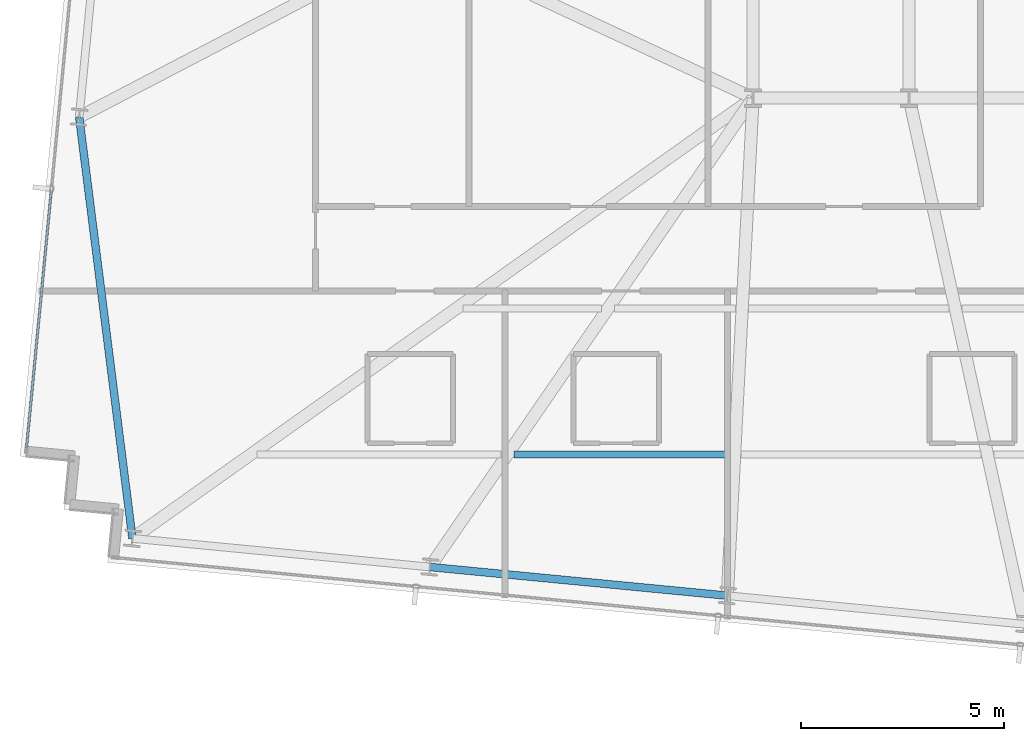
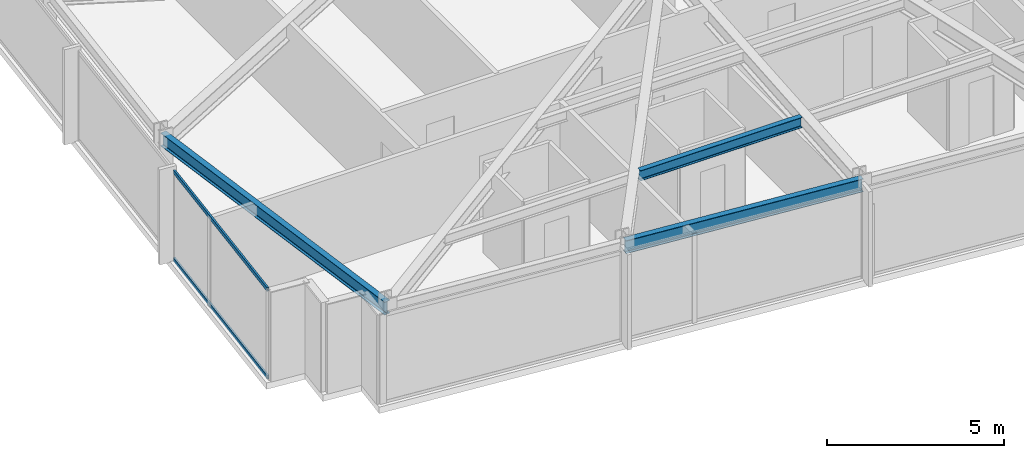
# One storey, part 3 of 38: 3 beams, 2 members, 1 element without a shape of its own.
"""IFC4 building model written with IfcOpenShell, lengths in metres."""

from ifc_helpers import new_model, si_unit, direction, frame, origin, origin_2d, place, context, subcontext, project, spatial, hollow_rectangle, i_section, extrude, material, material_profile, profile_set, type_object, element, aggregate, save


model = new_model("IFC4")

# Units and contexts
model_context = context("Model", 3, precision=1e-05, world=origin(), true_north=direction((0.0, 1.0)))
body_context = subcontext(model_context, "Body", "Model", "MODEL_VIEW")
ifc_project = project(units=[si_unit("LENGTHUNIT", "METRE"), si_unit("AREAUNIT", "SQUARE_METRE"), si_unit("VOLUMEUNIT", "CUBIC_METRE"), si_unit("PLANEANGLEUNIT", "RADIAN"), si_unit("MASSUNIT", "GRAM", prefix="KILO")], contexts=[model_context])

# Site, building, storey
site_placement = place(None, origin())
site = spatial("IfcSite", under=ifc_project, at=site_placement, CompositionType="ELEMENT")
building_placement = place(site_placement, origin())
building = spatial("IfcBuilding", under=site, at=building_placement, Name="Yelkora Congress Tower", CompositionType="ELEMENT")
storey_placement = place(building_placement, frame((0.0, 0.0, 185.300048828125)))
storey = spatial("IfcBuildingStorey", under=building, at=storey_placement, Name="L51", CompositionType="ELEMENT", Elevation=185.300048828125)

# Beams
ifc_material_1 = material(Name="Steel S355J2", Category="steel")
ifc_material_profile_1 = material_profile(ifc_material_1, i_section(OverallWidth=0.169921875, OverallDepth=0.360107421875, WebThickness=0.008056640625, FlangeThickness=0.0126953125, FilletRadius=0.01806640625, at=origin_2d()), Name="IPE 360")
ifc_profile_set_1 = profile_set([ifc_material_profile_1], Name="Steel S355J2")
beam_type_1 = type_object("IfcBeamType", Name="BM-JOIST-IPE360", PredefinedType="JOIST", material=ifc_profile_set_1)
beam_1_placement = place(storey_placement, frame((13.310546875, 16.421142578125, 2.89990234375), z_axis=(1.0, 0.0, 0.0), x_axis=(0.0, 1.0, 0.0)))
element("IfcBeam", 1, at=beam_1_placement, inside=storey, type_object=beam_type_1, Name="L51 Composite Floor Joist 6", PredefinedType="JOIST", context=body_context, shape_type="SweptSolid", body=[
    extrude(i_section(OverallWidth=0.169921875, OverallDepth=0.360107421875, WebThickness=0.008056640625, FlangeThickness=0.0126953125, FilletRadius=0.01806640625, at=origin_2d()), origin(), (0.0, 0.0, 1.0), 5.275146484375),
])
ifc_material_profile_2 = material_profile(ifc_material_1, i_section(OverallWidth=0.18994140625, OverallDepth=0.449951171875, WebThickness=0.009521484375, FlangeThickness=0.0146484375, FilletRadius=0.02099609375, at=origin_2d()), Name="IPE 450")
ifc_profile_set_2 = profile_set([ifc_material_profile_2], Name="Steel S355J2")
beam_type_2 = type_object("IfcBeamType", Name="BM-SPAN-IPE450", PredefinedType="SPANDREL", material=ifc_profile_set_2)
beam_2_placement = place(storey_placement, frame((2.607421875, 24.730712890625, 2.85498046875), z_axis=(0.125457133578, -0.992099041243, 0.0), x_axis=(0.992099041243, 0.125457133578, 0.0)))
element("IfcBeam", 2, at=beam_2_placement, inside=storey, type_object=beam_type_2, Name="L51 Perimeter Beam 1", PredefinedType="SPANDREL", context=body_context, shape_type="SweptSolid", body=[
    extrude(i_section(OverallWidth=0.18994140625, OverallDepth=0.449951171875, WebThickness=0.009521484375, FlangeThickness=0.0146484375, FilletRadius=0.02099609375, at=origin_2d()), origin(), (0.0, 0.0, 1.0), 10.455810546875),
])
beam_3_placement = place(storey_placement, frame((11.242431640625, 13.652099609375, 2.85498046875), z_axis=(0.995397409467, -0.095833173935, 0.0), x_axis=(0.095833173935, 0.995397409467, 0.0)))
element("IfcBeam", 3, at=beam_3_placement, inside=storey, type_object=beam_type_2, Name="L51 Perimeter Beam 3", PredefinedType="SPANDREL", context=body_context, shape_type="SweptSolid", body=[
    extrude(i_section(OverallWidth=0.18994140625, OverallDepth=0.449951171875, WebThickness=0.009521484375, FlangeThickness=0.0146484375, FilletRadius=0.02099609375, at=origin_2d()), origin(), (0.0, 0.0, 1.0), 7.357421875),
])

# Curtain wall, members
ifc_material_2 = material(Name="Anodised aluminium and insulated glass", Category="aluminium")
curtain_wall_type = type_object("IfcCurtainWallType", Name="CW-SYS-B3", PredefinedType="NOTDEFINED", material=ifc_material_2)
curtain_wall_placement = place(storey_placement, origin())
curtain_wall = element("IfcCurtainWall", 4, at=curtain_wall_placement, inside=storey, type_object=curtain_wall_type, Name="L51 Unitised Curtain Wall 5", PredefinedType="NOTDEFINED")
ifc_material_3 = material(Name="Anodised aluminium 6063-T6", Category="aluminium")
ifc_material_profile_3 = material_profile(ifc_material_3, hollow_rectangle(XDim=0.06005859375, YDim=0.1298828125, WallThickness=0.00390625, at=origin_2d()), Name="ALU 60x130x4")
ifc_profile_set_3 = profile_set([ifc_material_profile_3], Name="Anodised aluminium 6063-T6")
member_type = type_object("IfcMemberType", Name="MEM-TR-B3", PredefinedType="USERDEFINED", material=ifc_profile_set_3)
member_1_placement = place(storey_placement, frame((1.31005859375, 16.57763671875, 0.030029296875), z_axis=(0.095834923543, 0.99539724102, 0.0), x_axis=(-0.99539724102, 0.095834923543, 0.0)))
member_1 = element("IfcMember", 5, at=member_1_placement, type_object=member_type, Name="CW-B3 transom 1.1", ObjectType="TRANSOM", PredefinedType="USERDEFINED", context=body_context, shape_type="SweptSolid", body=[
    extrude(hollow_rectangle(XDim=0.06005859375, YDim=0.1298828125, WallThickness=0.00390625, at=origin_2d()), origin(), (0.0, 0.0, 1.0), 6.37890625),
])
member_2_placement = place(storey_placement, frame((1.31005859375, 16.57763671875, 3.050048828125), z_axis=(0.095834923543, 0.99539724102, 0.0), x_axis=(-0.99539724102, 0.095834923543, 0.0)))
member_2 = element("IfcMember", 6, at=member_2_placement, type_object=member_type, Name="CW-B3 transom 1.2", ObjectType="TRANSOM", PredefinedType="USERDEFINED", context=body_context, shape_type="SweptSolid", body=[
    extrude(hollow_rectangle(XDim=0.06005859375, YDim=0.1298828125, WallThickness=0.00390625, at=origin_2d()), origin(), (0.0, 0.0, 1.0), 6.37890625),
])
aggregate(curtain_wall, [member_1, member_2])

save(model, "model.ifc")
